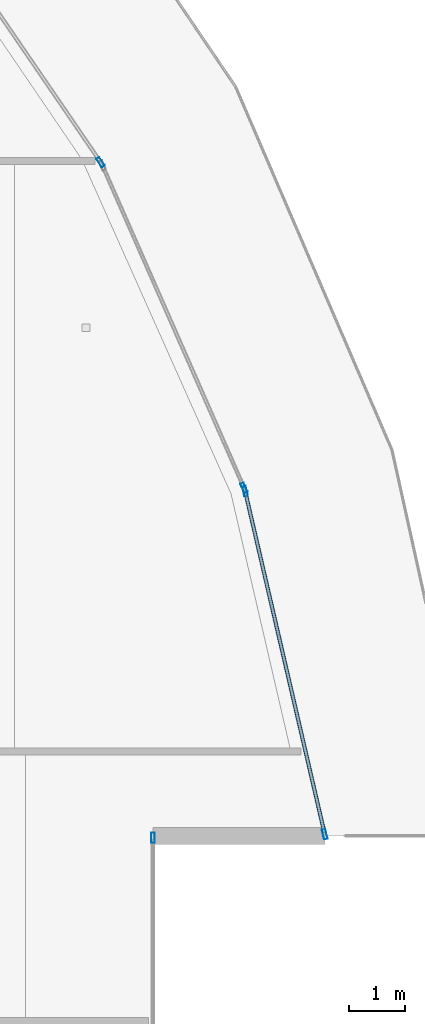
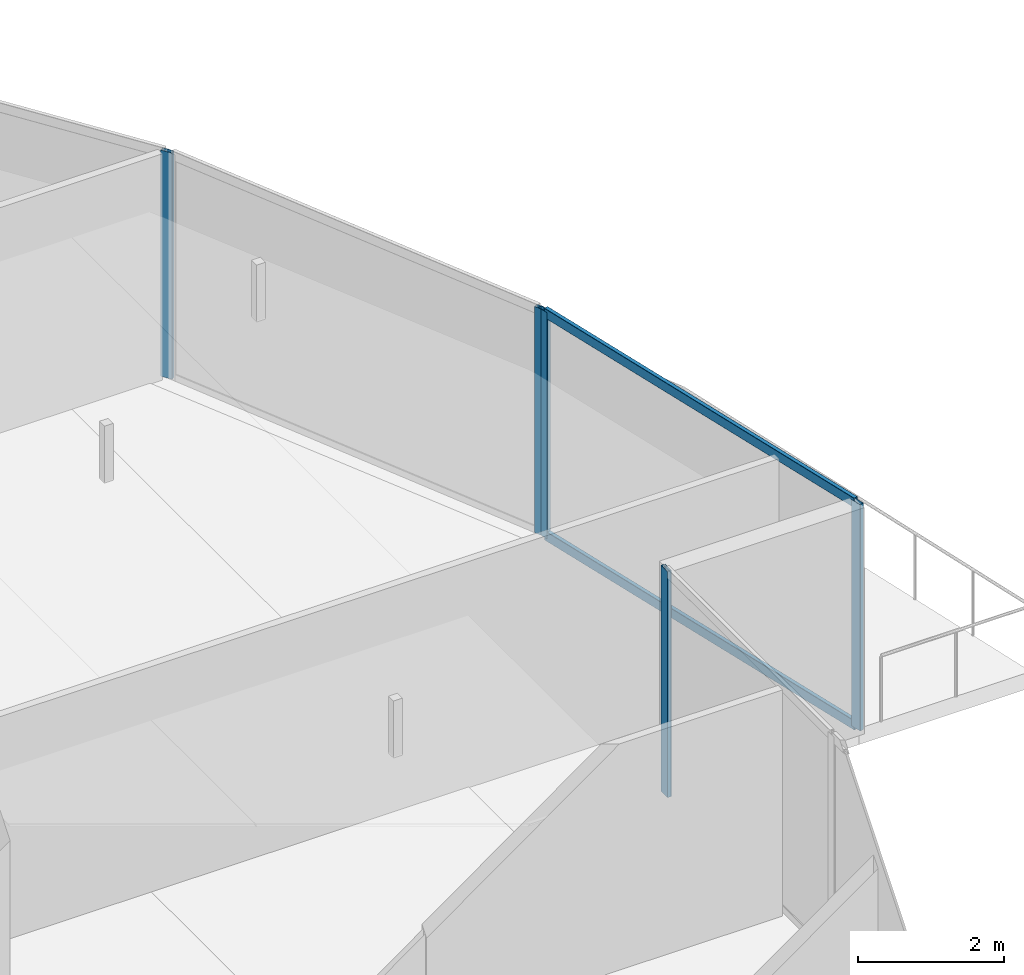
# One storey, part 20 of 37: 7 members, 4 elements without a shape of their own.
"""IFC4 building model written with IfcOpenShell, lengths in metres."""

from ifc_helpers import new_model, si_unit, direction, frame, origin, origin_2d, place, context, subcontext, project, spatial, hollow_rectangle, extrude, material, layer, layer_set, material_profile, profile_set, type_object, element, aggregate, save


model = new_model("IFC4")

# Units and contexts
model_context = context("Model", 3, precision=1e-05, world=origin(), true_north=direction((0.0, 1.0)))
body_context = subcontext(model_context, "Body", "Model", "MODEL_VIEW")
ifc_project = project(units=[si_unit("LENGTHUNIT", "METRE"), si_unit("AREAUNIT", "SQUARE_METRE"), si_unit("VOLUMEUNIT", "CUBIC_METRE"), si_unit("PLANEANGLEUNIT", "RADIAN"), si_unit("MASSUNIT", "GRAM", prefix="KILO")], contexts=[model_context])

# Site, building, storey
site_placement = place(None, origin())
site = spatial("IfcSite", under=ifc_project, at=site_placement, CompositionType="ELEMENT")
building_placement = place(site_placement, origin())
building = spatial("IfcBuilding", under=site, at=building_placement, Name="Qorvath Tower", CompositionType="ELEMENT")
storey_placement = place(building_placement, frame((0.0, 0.0, 184.800048828125)))
storey = spatial("IfcBuildingStorey", under=building, at=storey_placement, Name="L42", CompositionType="ELEMENT", Elevation=184.800048828125)

# Curtain wall, member
ifc_material_1 = material(Name="Anodised aluminium and triple low-E glass", Category="aluminium")
ifc_layer = layer(ifc_material_1, 0.179931640625)
ifc_layer_set = layer_set([ifc_layer], Name="CW-SYS-3")
curtain_wall_type = type_object("IfcCurtainWallType", Name="CW-SYS-3", PredefinedType="NOTDEFINED", material=ifc_layer_set)
curtain_wall_1_placement = place(storey_placement, origin())
curtain_wall_1 = element("IfcCurtainWall", 1, at=curtain_wall_1_placement, inside=storey, type_object=curtain_wall_type, Name="Curtain Wall CW-3 CW-T-L42-9.1", PredefinedType="NOTDEFINED")
ifc_material_2 = material(Name="Anodised aluminium 6063-T6", Category="aluminium")
ifc_material_profile_1 = material_profile(ifc_material_2, hollow_rectangle(XDim=0.06494140625, YDim=0.179931640625, WallThickness=0.00341796875, InnerFilletRadius=0.00341796875, OuterFilletRadius=0.007080078125, at=origin_2d()), Name="CWM 180x65")
ifc_profile_set_1 = profile_set([ifc_material_profile_1], Name="Anodised aluminium 6063-T6")
member_type_1 = type_object("IfcMemberType", Name="CWM-180", PredefinedType="MULLION", material=ifc_profile_set_1)
member_1_placement = place(storey_placement, frame((-0.83837890625, 4.568359375, 0.0), z_axis=(0.0, 0.0, 1.0), x_axis=(-1.0, 0.0, 0.0)))
member_1 = element("IfcMember", 2, at=member_1_placement, type_object=member_type_1, Name="CW-3 mullion 3", PredefinedType="MULLION", context=body_context, shape_type="SweptSolid", body=[
    extrude(hollow_rectangle(XDim=0.06494140625, YDim=0.179931640625, WallThickness=0.00341796875, InnerFilletRadius=0.00341796875, OuterFilletRadius=0.007080078125, at=origin_2d()), origin(), (0.0, 0.0, 1.0), 3.780029296875),
])
aggregate(curtain_wall_1, [member_1])

# Curtain wall, members
curtain_wall_2_placement = place(storey_placement, origin())
curtain_wall_2 = element("IfcCurtainWall", 3, at=curtain_wall_2_placement, inside=storey, type_object=curtain_wall_type, Name="Curtain Wall CW-3 CW-T-L42-11.1", PredefinedType="NOTDEFINED")
member_2_placement = place(storey_placement, frame((2.2216796875, 4.632568359375, 0.0), z_axis=(0.0, 0.0, 1.0), x_axis=(-0.974111283532, -0.226069032147, 0.0)))
member_2 = element("IfcMember", 4, at=member_2_placement, type_object=member_type_1, Name="CW-3 mullion 1", PredefinedType="MULLION", context=body_context, shape_type="SweptSolid", body=[
    extrude(hollow_rectangle(XDim=0.06494140625, YDim=0.179931640625, WallThickness=0.00341796875, InnerFilletRadius=0.00341796875, OuterFilletRadius=0.007080078125, at=origin_2d()), origin(), (0.0, 0.0, 1.0), 3.780029296875),
])
member_3_placement = place(storey_placement, frame((0.80322265625, 10.744140625, 0.0), z_axis=(0.0, 0.0, 1.0), x_axis=(-0.974111283532, -0.226069032147, 0.0)))
member_3 = element("IfcMember", 5, at=member_3_placement, type_object=member_type_1, Name="CW-3 mullion 2", PredefinedType="MULLION", context=body_context, shape_type="SweptSolid", body=[
    extrude(hollow_rectangle(XDim=0.06494140625, YDim=0.179931640625, WallThickness=0.00341796875, InnerFilletRadius=0.00341796875, OuterFilletRadius=0.007080078125, at=origin_2d()), origin(), (0.0, 0.0, 1.0), 3.780029296875),
])

# Curtain wall, member
curtain_wall_3_placement = place(storey_placement, origin())
curtain_wall_3 = element("IfcCurtainWall", 6, at=curtain_wall_3_placement, inside=storey, type_object=curtain_wall_type, Name="Curtain Wall CW-3 CW-T-L42-12.1", PredefinedType="NOTDEFINED")
member_4_placement = place(storey_placement, frame((0.78271484375, 10.8056640625, 0.0), z_axis=(0.0, 0.0, 1.0), x_axis=(-0.915549117046, -0.402206183786, 0.0)))
member_4 = element("IfcMember", 7, at=member_4_placement, type_object=member_type_1, Name="CW-3 mullion 1", PredefinedType="MULLION", context=body_context, shape_type="SweptSolid", body=[
    extrude(hollow_rectangle(XDim=0.06494140625, YDim=0.179931640625, WallThickness=0.00341796875, InnerFilletRadius=0.00341796875, OuterFilletRadius=0.007080078125, at=origin_2d()), origin(), (0.0, 0.0, 1.0), 3.780029296875),
])
aggregate(curtain_wall_3, [member_4])

curtain_wall_4_placement = place(storey_placement, origin())
curtain_wall_4 = element("IfcCurtainWall", 8, at=curtain_wall_4_placement, inside=storey, type_object=curtain_wall_type, Name="Curtain Wall CW-3 CW-T-L42-13.1", PredefinedType="NOTDEFINED")
member_5_placement = place(storey_placement, frame((-1.77197265625, 16.6064453125, 0.0), z_axis=(0.0, 0.0, 1.0), x_axis=(-0.825476698429, -0.564436196882, 0.0)))
member_5 = element("IfcMember", 9, at=member_5_placement, type_object=member_type_1, Name="CW-3 mullion 1", PredefinedType="MULLION", context=body_context, shape_type="SweptSolid", body=[
    extrude(hollow_rectangle(XDim=0.06494140625, YDim=0.179931640625, WallThickness=0.00341796875, InnerFilletRadius=0.00341796875, OuterFilletRadius=0.007080078125, at=origin_2d()), origin(), (0.0, 0.0, 1.0), 3.780029296875),
])
aggregate(curtain_wall_4, [member_5])

# Member
ifc_material_3 = material(Name="Anodised aluminium 6063-T6", Category="aluminium")
ifc_material_profile_2 = material_profile(ifc_material_3, hollow_rectangle(XDim=0.06494140625, YDim=0.159912109375, WallThickness=0.00341796875, InnerFilletRadius=0.00341796875, OuterFilletRadius=0.007080078125, at=origin_2d()), Name="CWT 160x65")
ifc_profile_set_2 = profile_set([ifc_material_profile_2], Name="Anodised aluminium 6063-T6")
member_type_2 = type_object("IfcMemberType", Name="CWT-160", PredefinedType="USERDEFINED", material=ifc_profile_set_2)
member_6_placement = place(storey_placement, frame((2.21435546875, 4.6640625, 0.032470703125), z_axis=(-0.226079741242, 0.974108798133, 0.0), x_axis=(-0.974108798133, -0.226079741242, 0.0)))
member_6 = element("IfcMember", 10, at=member_6_placement, type_object=member_type_2, Name="CW-3 transom 1.1", ObjectType="TRANSOM", PredefinedType="USERDEFINED", context=body_context, shape_type="SweptSolid", body=[
    extrude(hollow_rectangle(XDim=0.06494140625, YDim=0.159912109375, WallThickness=0.00341796875, InnerFilletRadius=0.00341796875, OuterFilletRadius=0.007080078125, at=origin_2d()), origin(), (0.0, 0.0, 1.0), 6.20947265625),
])

member_7_placement = place(storey_placement, frame((2.21435546875, 4.6640625, 3.74755859375), z_axis=(-0.226079741242, 0.974108798133, 0.0), x_axis=(-0.974108798133, -0.226079741242, 0.0)))
member_7 = element("IfcMember", 11, at=member_7_placement, type_object=member_type_2, Name="CW-3 transom 1.2", ObjectType="TRANSOM", PredefinedType="USERDEFINED", context=body_context, shape_type="SweptSolid", body=[
    extrude(hollow_rectangle(XDim=0.06494140625, YDim=0.159912109375, WallThickness=0.00341796875, InnerFilletRadius=0.00341796875, OuterFilletRadius=0.007080078125, at=origin_2d()), origin(), (0.0, 0.0, 1.0), 6.20947265625),
])

aggregate(curtain_wall_2, [member_2, member_3, member_6, member_7])

save(model, "model.ifc")
